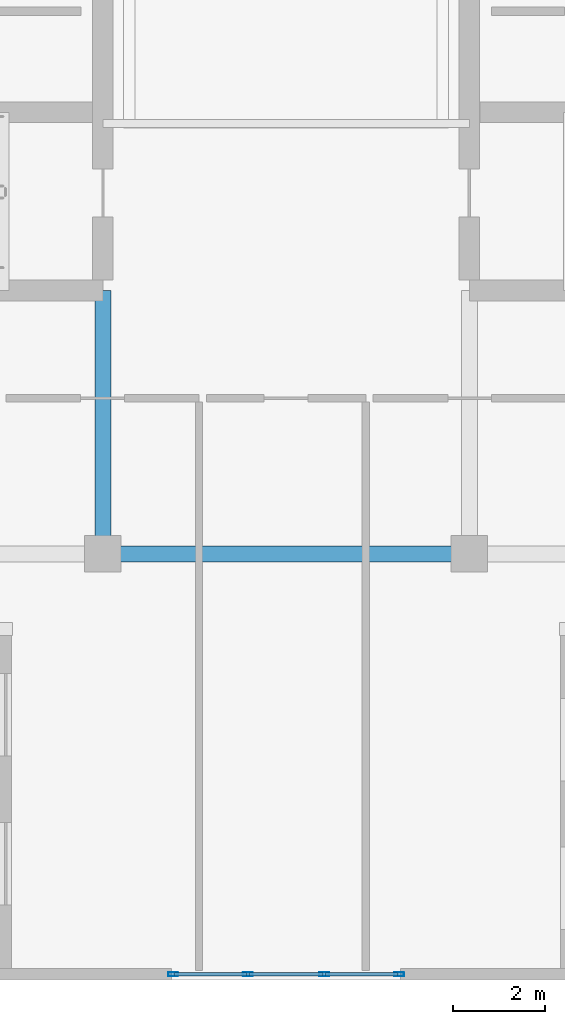
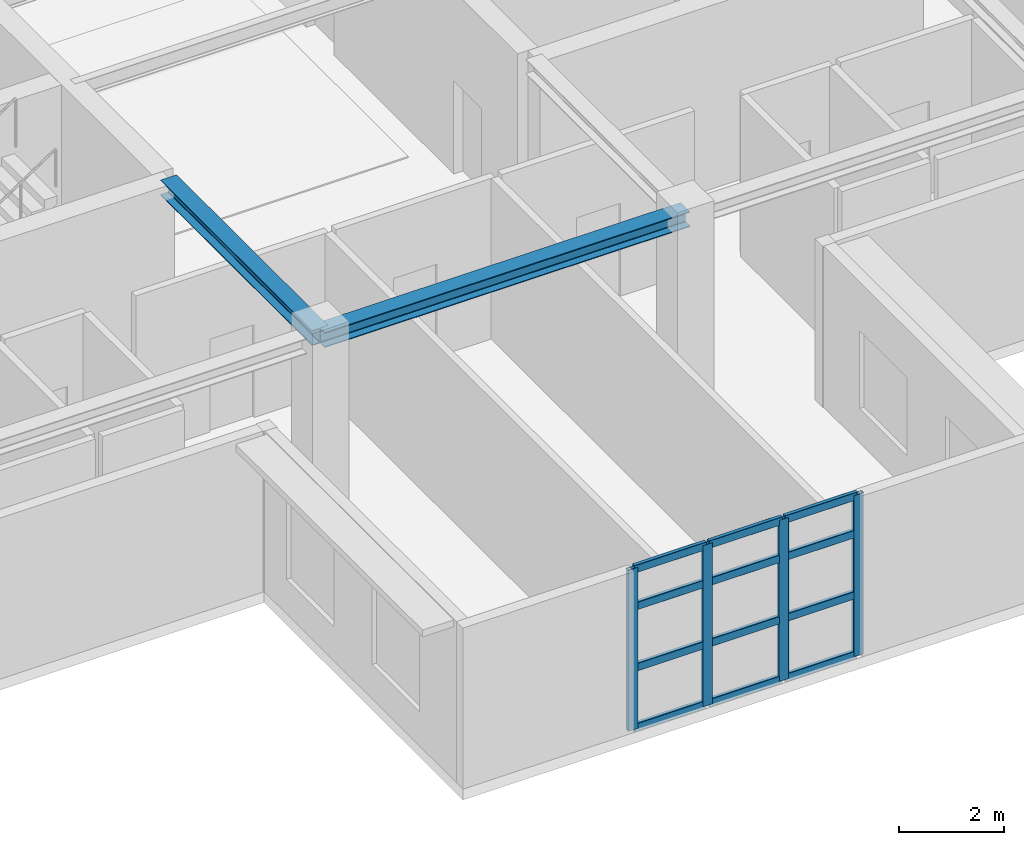
# One storey, part 2 of 16: 16 members, 2 beams, 1 element without a shape of its own.
"""IFC4 building model written with IfcOpenShell, lengths in metres."""

from ifc_helpers import new_model, si_unit, direction, frame, origin, origin_2d, place, context, subcontext, project, spatial, hollow_rectangle, i_section, extrude, material, layer, layer_set, material_profile, profile_set, type_object, element, aggregate, save


model = new_model("IFC4")

# Units and contexts
model_context = context("Model", 3, precision=1e-05, world=origin(), true_north=direction((0.0, 1.0)))
body_context = subcontext(model_context, "Body", "Model", "MODEL_VIEW")
ifc_project = project(units=[si_unit("LENGTHUNIT", "METRE"), si_unit("AREAUNIT", "SQUARE_METRE"), si_unit("VOLUMEUNIT", "CUBIC_METRE"), si_unit("PLANEANGLEUNIT", "RADIAN"), si_unit("MASSUNIT", "GRAM", prefix="KILO")], contexts=[model_context])

# Site, building, storey
site_placement = place(None, origin())
site = spatial("IfcSite", under=ifc_project, at=site_placement, CompositionType="ELEMENT")
building_placement = place(site_placement, origin())
building = spatial("IfcBuilding", under=site, at=building_placement, Name="Qingluan Cross Belvedere", CompositionType="ELEMENT")
storey_placement = place(building_placement, frame((0.0, 0.0, 308.39990234375)))
storey = spatial("IfcBuildingStorey", under=building, at=storey_placement, Name="L76", CompositionType="ELEMENT", Elevation=308.39990234375)

# Curtain wall, members
ifc_material_1 = material(Name="Thermally broken aluminium and Low-E glass", Category="aluminium")
ifc_layer = layer(ifc_material_1, 0.199951171875, Name="ObservationCW_SkyRestaurant")
ifc_layer_set = layer_set([ifc_layer], Name="Thermally broken aluminium and Low-E glass")
curtain_wall_type = type_object("IfcCurtainWallType", Name="ObservationCW_SkyRestaurant", PredefinedType="USERDEFINED", material=ifc_layer_set)
curtain_wall_placement = place(storey_placement, origin())
curtain_wall = element("IfcCurtainWall", 1, at=curtain_wall_placement, inside=storey, type_object=curtain_wall_type, Name="ObservationCW_SkyRestaurant run env:cw:L76:S", ObjectType="OBSERVATION GLAZING WALL", PredefinedType="USERDEFINED")
ifc_material_2 = material(Name="Aluminium alloy 6063-T6", Category="aluminium")
ifc_material_profile_1 = material_profile(ifc_material_2, hollow_rectangle(XDim=0.0849609375, YDim=0.219970703125, WallThickness=0.0048828125, InnerFilletRadius=0.0048828125, OuterFilletRadius=0.010009765625, at=origin_2d()), Name="CWM220x85x5")
ifc_profile_set_1 = profile_set([ifc_material_profile_1], Name="Aluminium alloy 6063-T6")
member_type_1 = type_object("IfcMemberType", Name="CWMullion_220", PredefinedType="MULLION", material=ifc_profile_set_1)
member_1_placement = place(storey_placement, frame((-2.468017578125, -21.780029296875, 0.0), z_axis=(0.0, 0.0, 1.0), x_axis=(0.0, 1.0, 0.0)))
member_1 = element("IfcMember", 2, at=member_1_placement, type_object=member_type_1, Name="CW-C2 mullion 1", PredefinedType="MULLION", context=body_context, shape_type="SweptSolid", body=[
    extrude(hollow_rectangle(XDim=0.0849609375, YDim=0.219970703125, WallThickness=0.0048828125, InnerFilletRadius=0.0048828125, OuterFilletRadius=0.010009765625, at=origin_2d()), origin(), (0.0, 0.0, 1.0), 3.72998046875),
])
member_2_placement = place(storey_placement, frame((-0.832763671875, -21.780029296875, 0.0), z_axis=(0.0, 0.0, 1.0), x_axis=(0.0, 1.0, 0.0)))
member_2 = element("IfcMember", 3, at=member_2_placement, type_object=member_type_1, Name="CW-C2 mullion 2", PredefinedType="MULLION", context=body_context, shape_type="SweptSolid", body=[
    extrude(hollow_rectangle(XDim=0.0849609375, YDim=0.219970703125, WallThickness=0.0048828125, InnerFilletRadius=0.0048828125, OuterFilletRadius=0.010009765625, at=origin_2d()), origin(), (0.0, 0.0, 1.0), 3.72998046875),
])
member_3_placement = place(storey_placement, frame((0.832763671875, -21.780029296875, 0.0), z_axis=(0.0, 0.0, 1.0), x_axis=(0.0, 1.0, 0.0)))
member_3 = element("IfcMember", 4, at=member_3_placement, type_object=member_type_1, Name="CW-C2 mullion 3", PredefinedType="MULLION", context=body_context, shape_type="SweptSolid", body=[
    extrude(hollow_rectangle(XDim=0.0849609375, YDim=0.219970703125, WallThickness=0.0048828125, InnerFilletRadius=0.0048828125, OuterFilletRadius=0.010009765625, at=origin_2d()), origin(), (0.0, 0.0, 1.0), 3.72998046875),
])
member_4_placement = place(storey_placement, frame((2.468017578125, -21.780029296875, 0.0), z_axis=(0.0, 0.0, 1.0), x_axis=(0.0, 1.0, 0.0)))
member_4 = element("IfcMember", 5, at=member_4_placement, type_object=member_type_1, Name="CW-C2 mullion 4", PredefinedType="MULLION", context=body_context, shape_type="SweptSolid", body=[
    extrude(hollow_rectangle(XDim=0.0849609375, YDim=0.219970703125, WallThickness=0.0048828125, InnerFilletRadius=0.0048828125, OuterFilletRadius=0.010009765625, at=origin_2d()), origin(), (0.0, 0.0, 1.0), 3.72998046875),
])
ifc_material_3 = material(Name="Aluminium alloy 6063-T6", Category="aluminium")
ifc_material_profile_2 = material_profile(ifc_material_3, hollow_rectangle(XDim=0.0849609375, YDim=0.179931640625, WallThickness=0.00390625, InnerFilletRadius=0.00390625, OuterFilletRadius=0.008056640625, at=origin_2d()), Name="CWT180x85x4")
ifc_profile_set_2 = profile_set([ifc_material_profile_2], Name="Aluminium alloy 6063-T6")
member_type_2 = type_object("IfcMemberType", Name="CWTransom_180", PredefinedType="USERDEFINED", material=ifc_profile_set_2)
member_5_placement = place(storey_placement, frame((-2.43798828125, -21.780029296875, 0.030029296875), z_axis=(1.0, 0.0, 0.0), x_axis=(0.0, 1.0, 0.0)))
member_5 = element("IfcMember", 6, at=member_5_placement, type_object=member_type_2, Name="CW-C2 transom 1.1", ObjectType="TRANSOM", PredefinedType="USERDEFINED", context=body_context, shape_type="SweptSolid", body=[
    extrude(hollow_rectangle(XDim=0.0849609375, YDim=0.179931640625, WallThickness=0.00390625, InnerFilletRadius=0.00390625, OuterFilletRadius=0.008056640625, at=origin_2d()), origin(), (0.0, 0.0, 1.0), 1.575439453125),
])
member_6_placement = place(storey_placement, frame((-2.43798828125, -21.780029296875, 1.4169921875), z_axis=(1.0, 0.0, 0.0), x_axis=(0.0, 1.0, 0.0)))
member_6 = element("IfcMember", 7, at=member_6_placement, type_object=member_type_2, Name="CW-C2 transom 1.2", ObjectType="TRANSOM", PredefinedType="USERDEFINED", context=body_context, shape_type="SweptSolid", body=[
    extrude(hollow_rectangle(XDim=0.0849609375, YDim=0.179931640625, WallThickness=0.00390625, InnerFilletRadius=0.00390625, OuterFilletRadius=0.008056640625, at=origin_2d()), origin(), (0.0, 0.0, 1.0), 1.575439453125),
])
member_7_placement = place(storey_placement, frame((-2.43798828125, -21.780029296875, 2.835205078125), z_axis=(1.0, 0.0, 0.0), x_axis=(0.0, 1.0, 0.0)))
member_7 = element("IfcMember", 8, at=member_7_placement, type_object=member_type_2, Name="CW-C2 transom 1.3", ObjectType="TRANSOM", PredefinedType="USERDEFINED", context=body_context, shape_type="SweptSolid", body=[
    extrude(hollow_rectangle(XDim=0.0849609375, YDim=0.179931640625, WallThickness=0.00390625, InnerFilletRadius=0.00390625, OuterFilletRadius=0.008056640625, at=origin_2d()), origin(), (0.0, 0.0, 1.0), 1.575439453125),
])
member_8_placement = place(storey_placement, frame((-2.43798828125, -21.780029296875, 3.7001953125), z_axis=(1.0, 0.0, 0.0), x_axis=(0.0, 1.0, 0.0)))
member_8 = element("IfcMember", 9, at=member_8_placement, type_object=member_type_2, Name="CW-C2 transom 1.4", ObjectType="TRANSOM", PredefinedType="USERDEFINED", context=body_context, shape_type="SweptSolid", body=[
    extrude(hollow_rectangle(XDim=0.0849609375, YDim=0.179931640625, WallThickness=0.00390625, InnerFilletRadius=0.00390625, OuterFilletRadius=0.008056640625, at=origin_2d()), origin(), (0.0, 0.0, 1.0), 1.575439453125),
])
member_9_placement = place(storey_placement, frame((-0.802734375, -21.780029296875, 0.030029296875), z_axis=(1.0, 0.0, 0.0), x_axis=(0.0, 1.0, 0.0)))
member_9 = element("IfcMember", 10, at=member_9_placement, type_object=member_type_2, Name="CW-C2 transom 2.1", ObjectType="TRANSOM", PredefinedType="USERDEFINED", context=body_context, shape_type="SweptSolid", body=[
    extrude(hollow_rectangle(XDim=0.0849609375, YDim=0.179931640625, WallThickness=0.00390625, InnerFilletRadius=0.00390625, OuterFilletRadius=0.008056640625, at=origin_2d()), origin(), (0.0, 0.0, 1.0), 1.60546875),
])
member_10_placement = place(storey_placement, frame((-0.802734375, -21.780029296875, 1.4169921875), z_axis=(1.0, 0.0, 0.0), x_axis=(0.0, 1.0, 0.0)))
member_10 = element("IfcMember", 11, at=member_10_placement, type_object=member_type_2, Name="CW-C2 transom 2.2", ObjectType="TRANSOM", PredefinedType="USERDEFINED", context=body_context, shape_type="SweptSolid", body=[
    extrude(hollow_rectangle(XDim=0.0849609375, YDim=0.179931640625, WallThickness=0.00390625, InnerFilletRadius=0.00390625, OuterFilletRadius=0.008056640625, at=origin_2d()), origin(), (0.0, 0.0, 1.0), 1.60546875),
])
member_11_placement = place(storey_placement, frame((-0.802734375, -21.780029296875, 2.835205078125), z_axis=(1.0, 0.0, 0.0), x_axis=(0.0, 1.0, 0.0)))
member_11 = element("IfcMember", 12, at=member_11_placement, type_object=member_type_2, Name="CW-C2 transom 2.3", ObjectType="TRANSOM", PredefinedType="USERDEFINED", context=body_context, shape_type="SweptSolid", body=[
    extrude(hollow_rectangle(XDim=0.0849609375, YDim=0.179931640625, WallThickness=0.00390625, InnerFilletRadius=0.00390625, OuterFilletRadius=0.008056640625, at=origin_2d()), origin(), (0.0, 0.0, 1.0), 1.60546875),
])
member_12_placement = place(storey_placement, frame((-0.802734375, -21.780029296875, 3.7001953125), z_axis=(1.0, 0.0, 0.0), x_axis=(0.0, 1.0, 0.0)))
member_12 = element("IfcMember", 13, at=member_12_placement, type_object=member_type_2, Name="CW-C2 transom 2.4", ObjectType="TRANSOM", PredefinedType="USERDEFINED", context=body_context, shape_type="SweptSolid", body=[
    extrude(hollow_rectangle(XDim=0.0849609375, YDim=0.179931640625, WallThickness=0.00390625, InnerFilletRadius=0.00390625, OuterFilletRadius=0.008056640625, at=origin_2d()), origin(), (0.0, 0.0, 1.0), 1.60546875),
])
member_13_placement = place(storey_placement, frame((0.862548828125, -21.780029296875, 0.030029296875), z_axis=(1.0, 0.0, 0.0), x_axis=(0.0, 1.0, 0.0)))
member_13 = element("IfcMember", 14, at=member_13_placement, type_object=member_type_2, Name="CW-C2 transom 3.1", ObjectType="TRANSOM", PredefinedType="USERDEFINED", context=body_context, shape_type="SweptSolid", body=[
    extrude(hollow_rectangle(XDim=0.0849609375, YDim=0.179931640625, WallThickness=0.00390625, InnerFilletRadius=0.00390625, OuterFilletRadius=0.008056640625, at=origin_2d()), origin(), (0.0, 0.0, 1.0), 1.575439453125),
])
member_14_placement = place(storey_placement, frame((0.862548828125, -21.780029296875, 1.4169921875), z_axis=(1.0, 0.0, 0.0), x_axis=(0.0, 1.0, 0.0)))
member_14 = element("IfcMember", 15, at=member_14_placement, type_object=member_type_2, Name="CW-C2 transom 3.2", ObjectType="TRANSOM", PredefinedType="USERDEFINED", context=body_context, shape_type="SweptSolid", body=[
    extrude(hollow_rectangle(XDim=0.0849609375, YDim=0.179931640625, WallThickness=0.00390625, InnerFilletRadius=0.00390625, OuterFilletRadius=0.008056640625, at=origin_2d()), origin(), (0.0, 0.0, 1.0), 1.575439453125),
])
member_15_placement = place(storey_placement, frame((0.862548828125, -21.780029296875, 2.835205078125), z_axis=(1.0, 0.0, 0.0), x_axis=(0.0, 1.0, 0.0)))
member_15 = element("IfcMember", 16, at=member_15_placement, type_object=member_type_2, Name="CW-C2 transom 3.3", ObjectType="TRANSOM", PredefinedType="USERDEFINED", context=body_context, shape_type="SweptSolid", body=[
    extrude(hollow_rectangle(XDim=0.0849609375, YDim=0.179931640625, WallThickness=0.00390625, InnerFilletRadius=0.00390625, OuterFilletRadius=0.008056640625, at=origin_2d()), origin(), (0.0, 0.0, 1.0), 1.575439453125),
])
member_16_placement = place(storey_placement, frame((0.862548828125, -21.780029296875, 3.7001953125), z_axis=(1.0, 0.0, 0.0), x_axis=(0.0, 1.0, 0.0)))
member_16 = element("IfcMember", 17, at=member_16_placement, type_object=member_type_2, Name="CW-C2 transom 3.4", ObjectType="TRANSOM", PredefinedType="USERDEFINED", context=body_context, shape_type="SweptSolid", body=[
    extrude(hollow_rectangle(XDim=0.0849609375, YDim=0.179931640625, WallThickness=0.00390625, InnerFilletRadius=0.00390625, OuterFilletRadius=0.008056640625, at=origin_2d()), origin(), (0.0, 0.0, 1.0), 1.575439453125),
])
aggregate(curtain_wall, [member_1, member_2, member_3, member_4, member_5, member_6, member_7, member_8, member_9, member_10, member_11, member_12, member_13, member_14, member_15, member_16])

# Beams
ifc_material_4 = material(Name="Steel Q420GJB", Category="steel")
ifc_material_profile_3 = material_profile(ifc_material_4, i_section(OverallWidth=0.35009765625, OverallDepth=0.35009765625, WebThickness=0.011962890625, FlangeThickness=0.01904296875, FilletRadius=0.02001953125, at=origin_2d()), Name="HW350x350x12x19")
ifc_profile_set_3 = profile_set([ifc_material_profile_3], Name="Steel Q420GJB")
beam_type = type_object("IfcBeamType", Name="Steel_Girder_HW350x350x12x19", PredefinedType="USERDEFINED", material=ifc_profile_set_3)
beam_1_placement = place(storey_placement, frame((-4.0, -12.60009765625, 4.0751953125), z_axis=(1.0, 0.0, 0.0), x_axis=(0.0, 1.0, 0.0)))
element("IfcBeam", 18, at=beam_1_placement, inside=storey, type_object=beam_type, Name="Hub girder L76-HG-S2", ObjectType="GIRDER", PredefinedType="USERDEFINED", context=body_context, shape_type="SweptSolid", body=[
    extrude(i_section(OverallWidth=0.35009765625, OverallDepth=0.35009765625, WebThickness=0.011962890625, FlangeThickness=0.01904296875, FilletRadius=0.02001953125, at=origin_2d()), origin(), (0.0, 0.0, 1.0), 8.0),
])
beam_2_placement = place(storey_placement, frame((-4.0, -12.60009765625, 4.0751953125), z_axis=(0.0, 1.0, 0.0), x_axis=(-1.0, 0.0, 0.0)))
element("IfcBeam", 19, at=beam_2_placement, inside=storey, type_object=beam_type, Name="Hub girder L76-HG-CW", ObjectType="GIRDER", PredefinedType="USERDEFINED", context=body_context, shape_type="SweptSolid", body=[
    extrude(i_section(OverallWidth=0.35009765625, OverallDepth=0.35009765625, WebThickness=0.011962890625, FlangeThickness=0.01904296875, FilletRadius=0.02001953125, at=origin_2d()), origin(), (0.0, 0.0, 1.0), 5.75),
])

save(model, "model.ifc")
